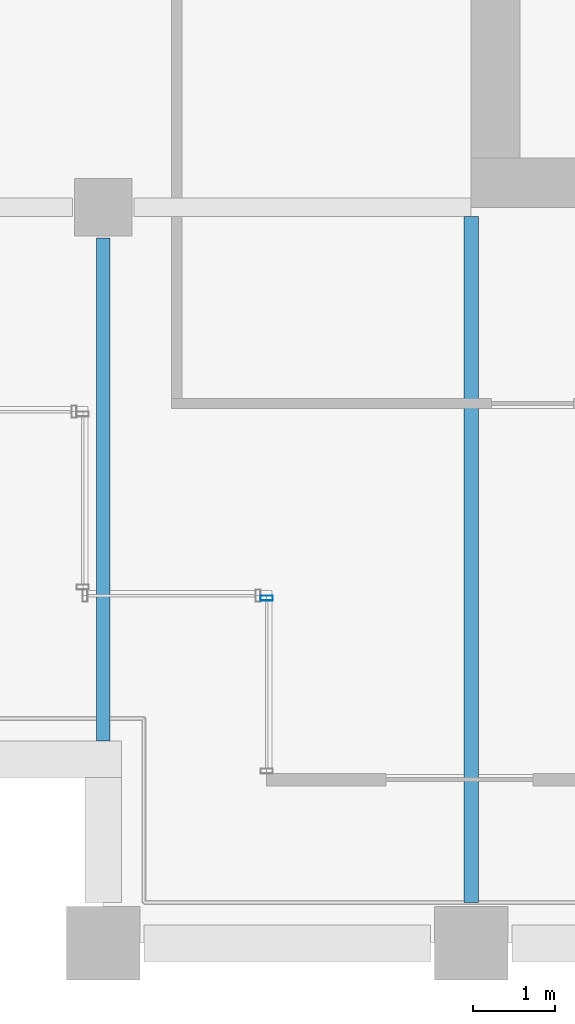
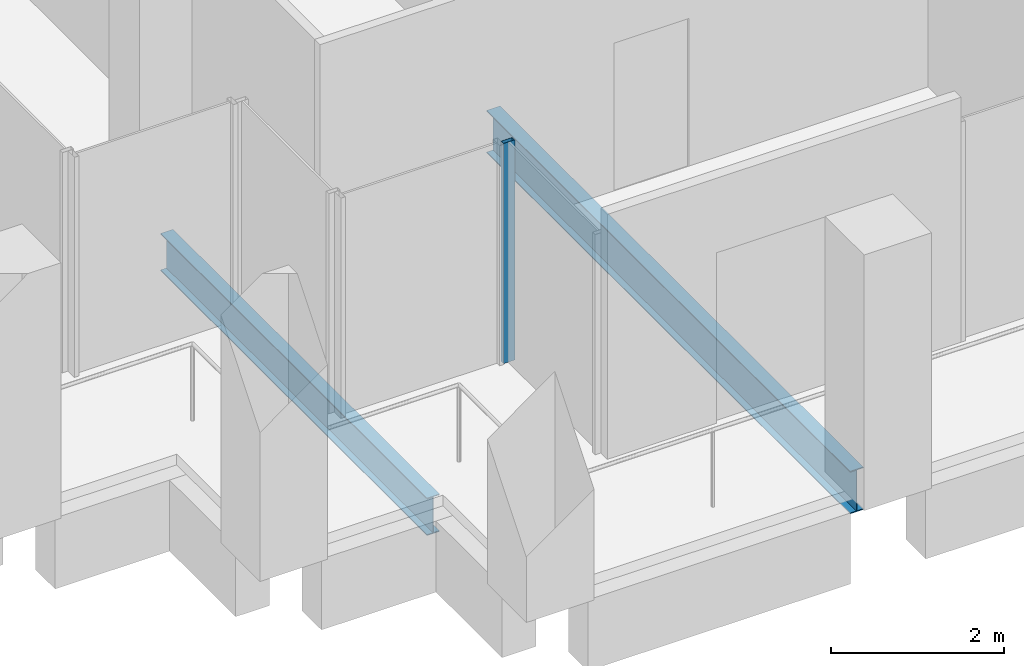
# One storey, part 29 of 44: 2 beams, 1 member, 1 element without a shape of its own.
"""IFC4 building model written with IfcOpenShell, lengths in metres."""

from ifc_helpers import new_model, si_unit, direction, frame, origin, origin_2d, place, context, subcontext, project, spatial, hollow_rectangle, i_section, extrude, material, material_profile, profile_set, type_object, element, aggregate, save


model = new_model("IFC4")

# Units and contexts
model_context = context("Model", 3, precision=1e-05, world=origin(), true_north=direction((0.0, 1.0)))
body_context = subcontext(model_context, "Body", "Model", "MODEL_VIEW")
ifc_project = project(units=[si_unit("LENGTHUNIT", "METRE"), si_unit("AREAUNIT", "SQUARE_METRE"), si_unit("VOLUMEUNIT", "CUBIC_METRE"), si_unit("PLANEANGLEUNIT", "RADIAN"), si_unit("MASSUNIT", "GRAM", prefix="KILO")], contexts=[model_context])

# Site, building, storey
site_placement = place(None, origin())
site = spatial("IfcSite", under=ifc_project, at=site_placement, CompositionType="ELEMENT")
building_placement = place(site_placement, origin())
building = spatial("IfcBuilding", under=site, at=building_placement, Name="Altepetl Exchange Towers", CompositionType="ELEMENT")
storey_placement = place(building_placement, frame((0.0, 0.0, 143.800048828125)))
storey = spatial("IfcBuildingStorey", under=building, at=storey_placement, Name="L35", CompositionType="ELEMENT", Elevation=143.800048828125)

# Beams
ifc_material_1 = material(Name="Steel S355", Category="steel")
ifc_material_profile_1 = material_profile(ifc_material_1, i_section(OverallWidth=0.166015625, OverallDepth=0.529052734375, WebThickness=0.009765625, FlangeThickness=0.013671875, at=origin_2d()), Name="W21X50")
ifc_profile_set_1 = profile_set([ifc_material_profile_1], Name="Steel S355")
beam_type_1 = type_object("IfcBeamType", Name="Floor beam W21X50", PredefinedType="BEAM", material=ifc_profile_set_1)
beam_1_placement = place(storey_placement, frame((99.0, 29.47509765625, -0.41455078125), z_axis=(0.0, 1.0, 0.0), x_axis=(-1.0, 0.0, 0.0)))
element("IfcBeam", 1, at=beam_1_placement, inside=storey, type_object=beam_type_1, Name="bm:B:L35:000", PredefinedType="BEAM", context=body_context, shape_type="SweptSolid", body=[
    extrude(i_section(OverallWidth=0.166015625, OverallDepth=0.529052734375, WebThickness=0.009765625, FlangeThickness=0.013671875, at=origin_2d()), origin(), (0.0, 0.0, 1.0), 6.14990234375),
])
ifc_material_profile_2 = material_profile(ifc_material_1, i_section(OverallWidth=0.177978515625, OverallDepth=0.59912109375, WebThickness=0.010009765625, FlangeThickness=0.0126953125, at=origin_2d()), Name="W24X55")
ifc_profile_set_2 = profile_set([ifc_material_profile_2], Name="Steel S355")
beam_type_2 = type_object("IfcBeamType", Name="Floor beam W24X55", PredefinedType="BEAM", material=ifc_profile_set_2)
beam_2_placement = place(storey_placement, frame((103.5, 27.5, -0.449462890625), z_axis=(0.0, 1.0, 0.0), x_axis=(-1.0, 0.0, 0.0)))
element("IfcBeam", 2, at=beam_2_placement, inside=storey, type_object=beam_type_2, Name="bm:B:L35:001", PredefinedType="BEAM", context=body_context, shape_type="SweptSolid", body=[
    extrude(i_section(OverallWidth=0.177978515625, OverallDepth=0.59912109375, WebThickness=0.010009765625, FlangeThickness=0.0126953125, at=origin_2d()), origin(), (0.0, 0.0, 1.0), 8.385986328125),
])

# Curtain wall, member
ifc_material_2 = material(Name="Aluminium 6063-T6 glazing", Category="aluminium")
curtain_wall_type = type_object("IfcCurtainWallType", Name="Loggia glazing system", PredefinedType="NOTDEFINED", material=ifc_material_2)
curtain_wall_placement = place(storey_placement, origin())
curtain_wall = element("IfcCurtainWall", 3, at=curtain_wall_placement, inside=storey, type_object=curtain_wall_type, Name="CW1 run", PredefinedType="NOTDEFINED")
ifc_material_3 = material(Name="Aluminium 6063-T6", Category="aluminium")
ifc_material_profile_3 = material_profile(ifc_material_3, hollow_rectangle(XDim=0.06005859375, YDim=0.14990234375, WallThickness=0.0029296875, at=origin_2d()), Name="Mullion 60x150 aluminium")
ifc_profile_set_3 = profile_set([ifc_material_profile_3], Name="Aluminium 6063-T6")
member_type = type_object("IfcMemberType", Name="Mullion 60x150 aluminium", PredefinedType="MULLION", material=ifc_profile_set_3)
member_placement = place(storey_placement, frame((101.0, 31.219970703125, 0.0), z_axis=(0.0, 0.0, 1.0), x_axis=(0.0, -1.0, 0.0)))
member = element("IfcMember", 4, at=member_placement, type_object=member_type, Name="MU1 mullion", PredefinedType="MULLION", context=body_context, shape_type="SweptSolid", body=[
    extrude(hollow_rectangle(XDim=0.06005859375, YDim=0.14990234375, WallThickness=0.0029296875, at=origin_2d()), origin(), (0.0, 0.0, 1.0), 3.099853515625),
])
aggregate(curtain_wall, [member])

save(model, "model.ifc")
